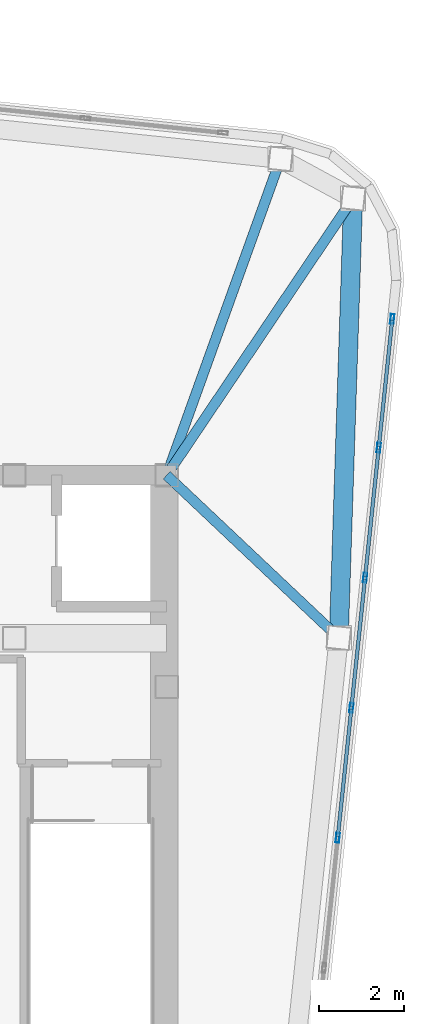
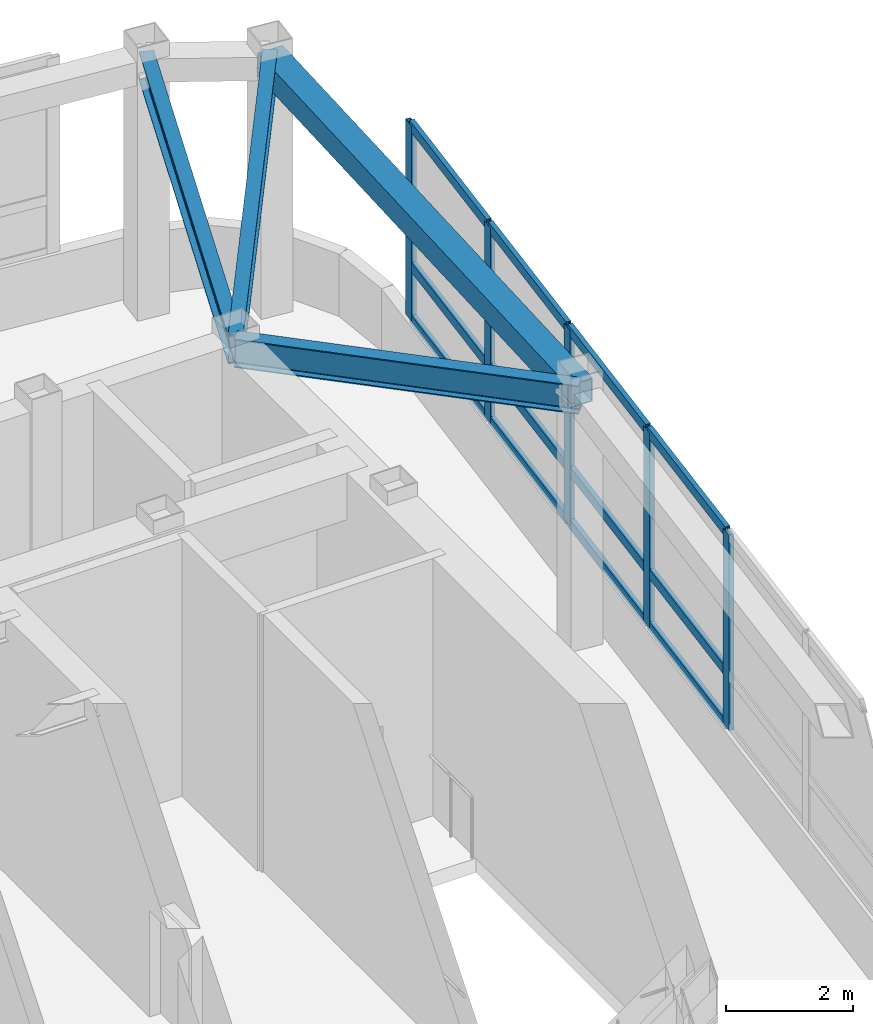
# One storey, part 13 of 21: 17 members, 4 beams, 1 element without a shape of its own.
"""IFC4 building model written with IfcOpenShell, lengths in metres."""

import ifcopenshell
import ifcopenshell.guid

model = None  # the IFC model being written
_history = None  # IfcOwnerHistory: only IFC2X3 demands one
_inside = {}  # id of a spatial element -> (the spatial element, [elements in it])
_under = {}  # id of a project, library or spatial element -> (it, [spatial elements below it])
_declared = {}  # id of a project -> (the project, [libraries it declares])
_typed = {}  # id of a type object -> (the type object, [elements of that type])
_made_of = {}  # id of a material, layer set ... -> (it, [elements and type objects made of it])


def new_model(schema):
    """Start an empty IFC model of exactly this schema.

    Asked for "IFC4X3", IfcOpenShell would pick the latest addendum, in which some entities
    have other attributes; the version numbers below select the first issue.
    IFC2X3 requires an IfcOwnerHistory on every rooted entity: one is made here for all.
    """
    global model, _history
    if schema == "IFC4X3":
        model = ifcopenshell.file(schema_version=(4, 3, 0, 0))
    else:
        model = ifcopenshell.file(schema=schema)
    _inside.clear()
    _under.clear()
    _declared.clear()
    _typed.clear()
    _made_of.clear()
    _history = None
    if model.schema == "IFC2X3":
        org = make("IfcOrganization", Name="unknown")
        user = make(
            "IfcPersonAndOrganization",
            ThePerson=make("IfcPerson", FamilyName="unknown"),
            TheOrganization=org,
        )
        app = make(
            "IfcApplication",
            ApplicationDeveloper=org,
            Version="unknown",
            ApplicationFullName="unknown",
            ApplicationIdentifier="unknown",
        )
        _history = make(
            "IfcOwnerHistory",
            OwningUser=user,
            OwningApplication=app,
            ChangeAction="ADDED",
            CreationDate=0,
        )
    return model


def make(cls, **values):
    """One entity of the class cls with the attributes given. An attribute that is None is left unset."""
    return model.create_entity(
        cls, **{name: value for name, value in values.items() if value is not None}
    )


def rooted(cls, **values):
    """An entity with a GlobalId (a new one), such as an element, a storey or a relation."""
    return make(cls, GlobalId=ifcopenshell.guid.new(), OwnerHistory=_history, **values)


def si_unit(unit_type, name, prefix=None):
    """IfcSIUnit, for example si_unit("LENGTHUNIT", "METRE", prefix="MILLI")."""
    return make("IfcSIUnit", UnitType=unit_type, Prefix=prefix, Name=name)


def assignment(units):
    """IfcUnitAssignment: the units of a project."""
    return None if units is None else make("IfcUnitAssignment", Units=units)


def point(xyz):
    """IfcCartesianPoint."""
    return None if xyz is None else make("IfcCartesianPoint", Coordinates=xyz)


def direction(xyz):
    """IfcDirection."""
    return None if xyz is None else make("IfcDirection", DirectionRatios=xyz)


def frame(location, z_axis=None, x_axis=None):
    """IfcAxis2Placement3D, a coordinate frame: its origin and axes. An axis left out is left unset."""
    return make(
        "IfcAxis2Placement3D",
        Location=point(location),
        Axis=direction(z_axis),
        RefDirection=direction(x_axis),
    )


def frame_2d(location, x_axis=None):
    """IfcAxis2Placement2D, a coordinate frame in the plane: its origin and x axis."""
    return make(
        "IfcAxis2Placement2D", Location=point(location), RefDirection=direction(x_axis)
    )


def origin():
    """The frame at (0, 0, 0) with its axes left unset."""
    return frame((0.0, 0.0, 0.0))


def origin_2d():
    """The frame at (0, 0) in the plane with its x axis left unset."""
    return frame_2d((0.0, 0.0))


def place(relative_to, where):
    """IfcLocalPlacement: puts the frame where relative to a parent placement (None: the world)."""
    return make(
        "IfcLocalPlacement", PlacementRelTo=relative_to, RelativePlacement=where
    )


def context(
    kind, dimensions, precision=None, world=None, true_north=None, identifier=None
):
    """IfcGeometricRepresentationContext, for example the 3D "Model" context."""
    return make(
        "IfcGeometricRepresentationContext",
        ContextIdentifier=identifier,
        ContextType=kind,
        CoordinateSpaceDimension=dimensions,
        Precision=precision,
        WorldCoordinateSystem=world,
        TrueNorth=true_north,
    )


def subcontext(parent, identifier, kind, view, scale=None):
    """IfcGeometricRepresentationSubContext, for example "Body" below "Model"."""
    return make(
        "IfcGeometricRepresentationSubContext",
        ContextIdentifier=identifier,
        ContextType=kind,
        ParentContext=parent,
        TargetScale=scale,
        TargetView=view,
    )


def project(units=None, contexts=None):
    """IfcProject with its units and contexts."""
    return rooted(
        "IfcProject",
        Name="project",
        RepresentationContexts=contexts,
        UnitsInContext=assignment(units),
    )


def spatial(cls, under=None, at=None, **own):
    """A site, building, storey or space (cls), placed at a placement, below another one or the project."""
    s = rooted(cls, ObjectPlacement=at, **own)
    if under is not None:
        _under.setdefault(under.id(), (under, []))[1].append(s)
    return s


def profile(cls, at=None, kind="AREA", **sizes):
    """A parametric profile (cls). Its sizes go by their IFC names, for example OverallWidth=200.0."""
    return make(cls, ProfileType=kind, Position=at, **sizes)


def hollow_rectangle(**sizes):
    """IfcRectangleHollowProfileDef."""
    return profile("IfcRectangleHollowProfileDef", **sizes)


def i_section(**sizes):
    """IfcIShapeProfileDef."""
    return profile("IfcIShapeProfileDef", **sizes)


def extrude(swept, where, along, depth):
    """IfcExtrudedAreaSolid: the profile swept, set in the frame where, extruded along a direction by depth."""
    return make(
        "IfcExtrudedAreaSolid",
        SweptArea=swept,
        Position=where,
        ExtrudedDirection=direction(along),
        Depth=depth,
    )


def shape(context_of_items, identifier, shape_type, items):
    """IfcShapeRepresentation: the items that make up one representation, for example the "Body"."""
    return make(
        "IfcShapeRepresentation",
        ContextOfItems=context_of_items,
        RepresentationIdentifier=identifier,
        RepresentationType=shape_type,
        Items=items,
    )


def material(Name=None, Category=None):
    """IfcMaterial."""
    return make("IfcMaterial", Name=Name, Category=Category)


def layer(
    of_material, thickness, ventilated=None, Name=None, Category=None, Priority=None
):
    """IfcMaterialLayer: one layer of a wall or slab, of a material (None: an air gap)."""
    return make(
        "IfcMaterialLayer",
        Material=of_material,
        LayerThickness=thickness,
        IsVentilated=ventilated,
        Name=Name,
        Category=Category,
        Priority=Priority,
    )


def layer_set(layers, Name=None):
    """IfcMaterialLayerSet."""
    return make("IfcMaterialLayerSet", MaterialLayers=layers, LayerSetName=Name)


def material_profile(
    of_material, cross_section, Name=None, Category=None, Priority=None
):
    """IfcMaterialProfile: a cross section and its material."""
    return make(
        "IfcMaterialProfile",
        Name=Name,
        Material=of_material,
        Profile=cross_section,
        Priority=Priority,
        Category=Category,
    )


def profile_set(profiles, Name=None, composite=None):
    """IfcMaterialProfileSet."""
    return make(
        "IfcMaterialProfileSet",
        Name=Name,
        MaterialProfiles=profiles,
        CompositeProfile=composite,
    )


def made_of(thing, what):
    """Note that an element or type object is made of a material, layer set ...; save() writes the relation."""
    if what is not None:
        _made_of.setdefault(what.id(), (what, []))[1].append(thing)
    return thing


def type_object(cls, material=None, **own):
    """A type object (cls), such as IfcWallType, which elements share."""
    return made_of(rooted(cls, **own), material)


def element(
    cls,
    number,
    at=None,
    inside=None,
    cuts=None,
    type_object=None,
    material=None,
    context=None,
    identifier="Body",
    shape_type=None,
    held_by="IfcProductDefinitionShape",
    body=None,
    shapes=None,
    **own,
):
    """One element of the class cls, such as IfcWall. Its Tag is "e" and its number.

    at: its placement. inside: the storey or other place that contains it. cuts: it is an
    opening in that element (IfcRelVoidsElement). A single representation is given by context,
    identifier, shape_type and body (its items); several are given by shapes. held_by: the class
    of the entity that holds the representations. save() writes the other relations.
    """
    e = rooted(cls, Tag="e%d" % number, ObjectPlacement=at, **own)
    if body is not None:
        shapes = [shape(context, identifier, shape_type, body)]
    if shapes is not None:
        e.Representation = make(held_by, Representations=shapes)
    if inside is not None:
        _inside.setdefault(inside.id(), (inside, []))[1].append(e)
    if cuts is not None:
        rooted(
            "IfcRelVoidsElement", RelatingBuildingElement=cuts, RelatedOpeningElement=e
        )
    if type_object is not None:
        _typed.setdefault(type_object.id(), (type_object, []))[1].append(e)
    return made_of(e, material)


def aggregate(whole, parts):
    """IfcRelAggregates: a whole, such as a stair, and the parts it consists of."""
    return rooted("IfcRelAggregates", RelatingObject=whole, RelatedObjects=parts)


def save(model, path):
    """Write the relations noted so far, then the file.

    IfcRelAggregates (storeys below a building ...), IfcRelContainedInSpatialStructure (elements
    in a storey), IfcRelDefinesByType, IfcRelAssociatesMaterial and IfcRelDeclares: one each for
    every whole, place, type object, material and project.
    """
    for whole, parts in _under.values():
        aggregate(whole, parts)
    for where, things in _inside.values():
        rooted(
            "IfcRelContainedInSpatialStructure",
            RelatedElements=things,
            RelatingStructure=where,
        )
    for kind, things in _typed.values():
        rooted("IfcRelDefinesByType", RelatedObjects=things, RelatingType=kind)
    for what, things in _made_of.values():
        rooted("IfcRelAssociatesMaterial", RelatedObjects=things, RelatingMaterial=what)
    for by, libraries in _declared.values():
        rooted("IfcRelDeclares", RelatingContext=by, RelatedDefinitions=libraries)
    model.write(path)


model = new_model("IFC4")

# Units and contexts
model_context = context("Model", 3, precision=1e-05, world=origin(), true_north=direction((0.0, 1.0)))
body_context = subcontext(model_context, "Body", "Model", "MODEL_VIEW")
ifc_project = project(units=[si_unit("LENGTHUNIT", "METRE"), si_unit("AREAUNIT", "SQUARE_METRE"), si_unit("VOLUMEUNIT", "CUBIC_METRE"), si_unit("PLANEANGLEUNIT", "RADIAN"), si_unit("MASSUNIT", "GRAM", prefix="KILO")], contexts=[model_context])

# Site, building, storey
site_placement = place(None, origin())
site = spatial("IfcSite", under=ifc_project, at=site_placement, CompositionType="ELEMENT")
building_placement = place(site_placement, origin())
building = spatial("IfcBuilding", under=site, at=building_placement, Name="Voryun Gate Residences", CompositionType="ELEMENT")
storey_placement = place(building_placement, frame((0.0, 0.0, 337.199951171875)))
storey = spatial("IfcBuildingStorey", under=building, at=storey_placement, Name="L82", CompositionType="ELEMENT", Elevation=337.199951171875)

# Beams
ifc_material_1 = material(Name="Steel SM355", Category="steel")
ifc_material_profile_1 = material_profile(ifc_material_1, hollow_rectangle(XDim=0.449951171875, YDim=0.449951171875, WallThickness=0.01806640625, at=origin_2d()), Name="BOX-450x450x18")
ifc_profile_set_1 = profile_set([ifc_material_profile_1], Name="Steel SM355")
beam_type_1 = type_object("IfcBeamType", Name="BM_CROWN_RING", PredefinedType="BEAM", material=ifc_profile_set_1)
beam_1_placement = place(storey_placement, frame((23.263916015625, 3.56201171875, 4.735107421875), z_axis=(0.032727694972, 0.999464305507, 0.0), x_axis=(-0.999464305507, 0.032727694972, 0.0)))
element("IfcBeam", 1, at=beam_1_placement, inside=storey, type_object=beam_type_1, Name="BM-L82-SPAND-09", PredefinedType="BEAM", context=body_context, shape_type="SweptSolid", body=[
    extrude(hollow_rectangle(XDim=0.449951171875, YDim=0.449951171875, WallThickness=0.01806640625, at=origin_2d()), origin(), (0.0, 0.0, 1.0), 10.384033203125),
])
ifc_material_2 = material(Name="Steel SM355", Category="steel")
ifc_material_profile_2 = material_profile(ifc_material_2, i_section(OverallWidth=0.239990234375, OverallDepth=0.550048828125, WebThickness=0.011962890625, FlangeThickness=0.02001953125, FilletRadius=0.01806640625, at=origin_2d()), Name="H-550x240x12x20")
ifc_profile_set_2 = profile_set([ifc_material_profile_2], Name="Steel SM355")
beam_type_2 = type_object("IfcBeamType", Name="BM_GIRD_550", PredefinedType="USERDEFINED", material=ifc_profile_set_2)
beam_2_placement = place(storey_placement, frame((19.199951171875, 7.39990234375, 4.68505859375), z_axis=(0.727039799683, -0.686595317255, 0.0), x_axis=(0.686595317255, 0.727039799683, 0.0)))
element("IfcBeam", 2, at=beam_2_placement, inside=storey, type_object=beam_type_2, Name="BM-L82-RAD-E2", ObjectType="GIRDER", PredefinedType="USERDEFINED", context=body_context, shape_type="SweptSolid", body=[
    extrude(i_section(OverallWidth=0.239990234375, OverallDepth=0.550048828125, WebThickness=0.011962890625, FlangeThickness=0.02001953125, FilletRadius=0.01806640625, at=origin_2d()), origin(), (0.0, 0.0, 1.0), 5.58984375),
])
beam_3_placement = place(storey_placement, frame((19.199951171875, 7.39990234375, 4.68505859375), z_axis=(0.558509953657, 0.829497818964, 0.0), x_axis=(-0.829497818964, 0.558509953657, 0.0)))
element("IfcBeam", 3, at=beam_3_placement, inside=storey, type_object=beam_type_2, Name="BM-L82-RAD-CNE", ObjectType="GIRDER", PredefinedType="USERDEFINED", context=body_context, shape_type="SweptSolid", body=[
    extrude(i_section(OverallWidth=0.239990234375, OverallDepth=0.550048828125, WebThickness=0.011962890625, FlangeThickness=0.02001953125, FilletRadius=0.01806640625, at=origin_2d()), origin(), (0.0, 0.0, 1.0), 7.885009765625),
])
beam_4_placement = place(storey_placement, frame((19.199951171875, 7.39990234375, 4.68505859375), z_axis=(0.338588822794, 0.940934433996, 0.0), x_axis=(-0.940934433996, 0.338588822794, 0.0)))
element("IfcBeam", 4, at=beam_4_placement, inside=storey, type_object=beam_type_2, Name="BM-L82-RAD-N1", ObjectType="GIRDER", PredefinedType="USERDEFINED", context=body_context, shape_type="SweptSolid", body=[
    extrude(i_section(OverallWidth=0.239990234375, OverallDepth=0.550048828125, WebThickness=0.011962890625, FlangeThickness=0.02001953125, FilletRadius=0.01806640625, at=origin_2d()), origin(), (0.0, 0.0, 1.0), 7.94091796875),
])

# Curtain wall, members
ifc_material_3 = material(Name="Anodised aluminium", Category="aluminium")
ifc_layer = layer(ifc_material_3, 0.22998046875, Name="CW_SYS_LANTERN_DARK_GLASS")
ifc_layer_set = layer_set([ifc_layer], Name="Anodised aluminium")
curtain_wall_type = type_object("IfcCurtainWallType", Name="CW_SYS_LANTERN_DARK_GLASS", PredefinedType="NOTDEFINED", material=ifc_layer_set)
curtain_wall_placement = place(storey_placement, origin())
curtain_wall = element("IfcCurtainWall", 5, at=curtain_wall_placement, inside=storey, type_object=curtain_wall_type, Name="Curtain wall CW6-L82-16", PredefinedType="NOTDEFINED")
ifc_material_4 = material(Name="Anodised aluminium", Category="aluminium")
ifc_material_profile_3 = material_profile(ifc_material_4, hollow_rectangle(XDim=0.0849609375, YDim=0.22998046875, WallThickness=0.006103515625, at=origin_2d()), Name="ALU-MULL-230x85x6")
ifc_profile_set_3 = profile_set([ifc_material_profile_3], Name="Anodised aluminium")
member_type_1 = type_object("IfcMemberType", Name="CW_MULL_LANT", PredefinedType="MULLION", material=ifc_profile_set_3)
member_1_placement = place(storey_placement, frame((24.52783203125, 11.090576171875, 1.18994140625), z_axis=(0.0, 0.0, 1.0), x_axis=(0.994521943608, -0.104528004296, 0.0)))
member_1 = element("IfcMember", 6, at=member_1_placement, type_object=member_type_1, Name="CW6 mullion 1", PredefinedType="MULLION", context=body_context, shape_type="SweptSolid", body=[
    extrude(hollow_rectangle(XDim=0.0849609375, YDim=0.22998046875, WallThickness=0.006103515625, at=origin_2d()), origin(), (0.0, 0.0, 1.0), 3.77001953125),
])
member_2_placement = place(storey_placement, frame((24.208251953125, 8.04931640625, 1.18994140625), z_axis=(0.0, 0.0, 1.0), x_axis=(0.994521943608, -0.104528004296, 0.0)))
member_2 = element("IfcMember", 7, at=member_2_placement, type_object=member_type_1, Name="CW6 mullion 2", PredefinedType="MULLION", context=body_context, shape_type="SweptSolid", body=[
    extrude(hollow_rectangle(XDim=0.0849609375, YDim=0.22998046875, WallThickness=0.006103515625, at=origin_2d()), origin(), (0.0, 0.0, 1.0), 3.77001953125),
])
member_3_placement = place(storey_placement, frame((23.885498046875, 4.978515625, 1.18994140625), z_axis=(0.0, 0.0, 1.0), x_axis=(0.994521943608, -0.104528004296, 0.0)))
member_3 = element("IfcMember", 8, at=member_3_placement, type_object=member_type_1, Name="CW6 mullion 3", PredefinedType="MULLION", context=body_context, shape_type="SweptSolid", body=[
    extrude(hollow_rectangle(XDim=0.0849609375, YDim=0.22998046875, WallThickness=0.006103515625, at=origin_2d()), origin(), (0.0, 0.0, 1.0), 3.77001953125),
])
member_4_placement = place(storey_placement, frame((23.562744140625, 1.907470703125, 1.18994140625), z_axis=(0.0, 0.0, 1.0), x_axis=(0.994521943608, -0.104528004296, 0.0)))
member_4 = element("IfcMember", 9, at=member_4_placement, type_object=member_type_1, Name="CW6 mullion 4", PredefinedType="MULLION", context=body_context, shape_type="SweptSolid", body=[
    extrude(hollow_rectangle(XDim=0.0849609375, YDim=0.22998046875, WallThickness=0.006103515625, at=origin_2d()), origin(), (0.0, 0.0, 1.0), 3.77001953125),
])
member_5_placement = place(storey_placement, frame((23.239990234375, -1.163330078125, 1.18994140625), z_axis=(0.0, 0.0, 1.0), x_axis=(0.994521943608, -0.104528004296, 0.0)))
member_5 = element("IfcMember", 10, at=member_5_placement, type_object=member_type_1, Name="CW6 mullion 5", PredefinedType="MULLION", context=body_context, shape_type="SweptSolid", body=[
    extrude(hollow_rectangle(XDim=0.0849609375, YDim=0.22998046875, WallThickness=0.006103515625, at=origin_2d()), origin(), (0.0, 0.0, 1.0), 3.77001953125),
])
ifc_material_5 = material(Name="Anodised aluminium", Category="aluminium")
ifc_material_profile_4 = material_profile(ifc_material_5, hollow_rectangle(XDim=0.0849609375, YDim=0.18994140625, WallThickness=0.006103515625, at=origin_2d()), Name="ALU-TRAN-190x85x6")
ifc_profile_set_4 = profile_set([ifc_material_profile_4], Name="Anodised aluminium")
member_type_2 = type_object("IfcMemberType", Name="CW_TRAN_LANT", PredefinedType="USERDEFINED", material=ifc_profile_set_4)
member_6_placement = place(storey_placement, frame((24.524658203125, 11.060546875, 1.219970703125), z_axis=(-0.104485537102, -0.994526406153, 0.0), x_axis=(0.994526406153, -0.104485537102, 0.0)))
member_6 = element("IfcMember", 11, at=member_6_placement, type_object=member_type_2, Name="CW6 transom 1.1", ObjectType="TRANSOM", PredefinedType="USERDEFINED", context=body_context, shape_type="SweptSolid", body=[
    extrude(hollow_rectangle(XDim=0.0849609375, YDim=0.18994140625, WallThickness=0.006103515625, at=origin_2d()), origin(), (0.0, 0.0, 1.0), 2.997802734375),
])
member_7_placement = place(storey_placement, frame((24.524658203125, 11.060546875, 2.239990234375), z_axis=(-0.104485537102, -0.994526406153, 0.0), x_axis=(0.994526406153, -0.104485537102, 0.0)))
member_7 = element("IfcMember", 12, at=member_7_placement, type_object=member_type_2, Name="CW6 transom 1.2", ObjectType="TRANSOM", PredefinedType="USERDEFINED", context=body_context, shape_type="SweptSolid", body=[
    extrude(hollow_rectangle(XDim=0.0849609375, YDim=0.18994140625, WallThickness=0.006103515625, at=origin_2d()), origin(), (0.0, 0.0, 1.0), 2.997802734375),
])
member_8_placement = place(storey_placement, frame((24.524658203125, 11.060546875, 4.929931640625), z_axis=(-0.104485537102, -0.994526406153, 0.0), x_axis=(0.994526406153, -0.104485537102, 0.0)))
member_8 = element("IfcMember", 13, at=member_8_placement, type_object=member_type_2, Name="CW6 transom 1.3", ObjectType="TRANSOM", PredefinedType="USERDEFINED", context=body_context, shape_type="SweptSolid", body=[
    extrude(hollow_rectangle(XDim=0.0849609375, YDim=0.18994140625, WallThickness=0.006103515625, at=origin_2d()), origin(), (0.0, 0.0, 1.0), 2.997802734375),
])
member_9_placement = place(storey_placement, frame((24.205078125, 8.01953125, 1.219970703125), z_axis=(-0.104500100479, -0.994524876009, 0.0), x_axis=(0.994524876009, -0.104500100479, 0.0)))
member_9 = element("IfcMember", 14, at=member_9_placement, type_object=member_type_2, Name="CW6 transom 2.1", ObjectType="TRANSOM", PredefinedType="USERDEFINED", context=body_context, shape_type="SweptSolid", body=[
    extrude(hollow_rectangle(XDim=0.0849609375, YDim=0.18994140625, WallThickness=0.006103515625, at=origin_2d()), origin(), (0.0, 0.0, 1.0), 3.02783203125),
])
member_10_placement = place(storey_placement, frame((24.205078125, 8.01953125, 2.239990234375), z_axis=(-0.104500100479, -0.994524876009, 0.0), x_axis=(0.994524876009, -0.104500100479, 0.0)))
member_10 = element("IfcMember", 15, at=member_10_placement, type_object=member_type_2, Name="CW6 transom 2.2", ObjectType="TRANSOM", PredefinedType="USERDEFINED", context=body_context, shape_type="SweptSolid", body=[
    extrude(hollow_rectangle(XDim=0.0849609375, YDim=0.18994140625, WallThickness=0.006103515625, at=origin_2d()), origin(), (0.0, 0.0, 1.0), 3.02783203125),
])
member_11_placement = place(storey_placement, frame((24.205078125, 8.01953125, 4.929931640625), z_axis=(-0.104500100479, -0.994524876009, 0.0), x_axis=(0.994524876009, -0.104500100479, 0.0)))
member_11 = element("IfcMember", 16, at=member_11_placement, type_object=member_type_2, Name="CW6 transom 2.3", ObjectType="TRANSOM", PredefinedType="USERDEFINED", context=body_context, shape_type="SweptSolid", body=[
    extrude(hollow_rectangle(XDim=0.0849609375, YDim=0.18994140625, WallThickness=0.006103515625, at=origin_2d()), origin(), (0.0, 0.0, 1.0), 3.02783203125),
])
member_12_placement = place(storey_placement, frame((23.88232421875, 4.948486328125, 1.219970703125), z_axis=(-0.104500100479, -0.994524876009, 0.0), x_axis=(0.994524876009, -0.104500100479, 0.0)))
member_12 = element("IfcMember", 17, at=member_12_placement, type_object=member_type_2, Name="CW6 transom 3.1", ObjectType="TRANSOM", PredefinedType="USERDEFINED", context=body_context, shape_type="SweptSolid", body=[
    extrude(hollow_rectangle(XDim=0.0849609375, YDim=0.18994140625, WallThickness=0.006103515625, at=origin_2d()), origin(), (0.0, 0.0, 1.0), 3.02783203125),
])
member_13_placement = place(storey_placement, frame((23.88232421875, 4.948486328125, 2.239990234375), z_axis=(-0.104500100479, -0.994524876009, 0.0), x_axis=(0.994524876009, -0.104500100479, 0.0)))
member_13 = element("IfcMember", 18, at=member_13_placement, type_object=member_type_2, Name="CW6 transom 3.2", ObjectType="TRANSOM", PredefinedType="USERDEFINED", context=body_context, shape_type="SweptSolid", body=[
    extrude(hollow_rectangle(XDim=0.0849609375, YDim=0.18994140625, WallThickness=0.006103515625, at=origin_2d()), origin(), (0.0, 0.0, 1.0), 3.02783203125),
])
member_14_placement = place(storey_placement, frame((23.88232421875, 4.948486328125, 4.929931640625), z_axis=(-0.104500100479, -0.994524876009, 0.0), x_axis=(0.994524876009, -0.104500100479, 0.0)))
member_14 = element("IfcMember", 19, at=member_14_placement, type_object=member_type_2, Name="CW6 transom 3.3", ObjectType="TRANSOM", PredefinedType="USERDEFINED", context=body_context, shape_type="SweptSolid", body=[
    extrude(hollow_rectangle(XDim=0.0849609375, YDim=0.18994140625, WallThickness=0.006103515625, at=origin_2d()), origin(), (0.0, 0.0, 1.0), 3.02783203125),
])
member_15_placement = place(storey_placement, frame((23.5595703125, 1.877685546875, 1.219970703125), z_axis=(-0.104500100479, -0.994524876009, 0.0), x_axis=(0.994524876009, -0.104500100479, 0.0)))
member_15 = element("IfcMember", 20, at=member_15_placement, type_object=member_type_2, Name="CW6 transom 4.1", ObjectType="TRANSOM", PredefinedType="USERDEFINED", context=body_context, shape_type="SweptSolid", body=[
    extrude(hollow_rectangle(XDim=0.0849609375, YDim=0.18994140625, WallThickness=0.006103515625, at=origin_2d()), origin(), (0.0, 0.0, 1.0), 3.02783203125),
])
member_16_placement = place(storey_placement, frame((23.5595703125, 1.877685546875, 2.239990234375), z_axis=(-0.104500100479, -0.994524876009, 0.0), x_axis=(0.994524876009, -0.104500100479, 0.0)))
member_16 = element("IfcMember", 21, at=member_16_placement, type_object=member_type_2, Name="CW6 transom 4.2", ObjectType="TRANSOM", PredefinedType="USERDEFINED", context=body_context, shape_type="SweptSolid", body=[
    extrude(hollow_rectangle(XDim=0.0849609375, YDim=0.18994140625, WallThickness=0.006103515625, at=origin_2d()), origin(), (0.0, 0.0, 1.0), 3.02783203125),
])
member_17_placement = place(storey_placement, frame((23.5595703125, 1.877685546875, 4.929931640625), z_axis=(-0.104500100479, -0.994524876009, 0.0), x_axis=(0.994524876009, -0.104500100479, 0.0)))
member_17 = element("IfcMember", 22, at=member_17_placement, type_object=member_type_2, Name="CW6 transom 4.3", ObjectType="TRANSOM", PredefinedType="USERDEFINED", context=body_context, shape_type="SweptSolid", body=[
    extrude(hollow_rectangle(XDim=0.0849609375, YDim=0.18994140625, WallThickness=0.006103515625, at=origin_2d()), origin(), (0.0, 0.0, 1.0), 3.02783203125),
])
aggregate(curtain_wall, [member_1, member_2, member_3, member_4, member_5, member_6, member_7, member_8, member_9, member_10, member_11, member_12, member_13, member_14, member_15, member_16, member_17])

save(model, "model.ifc")
